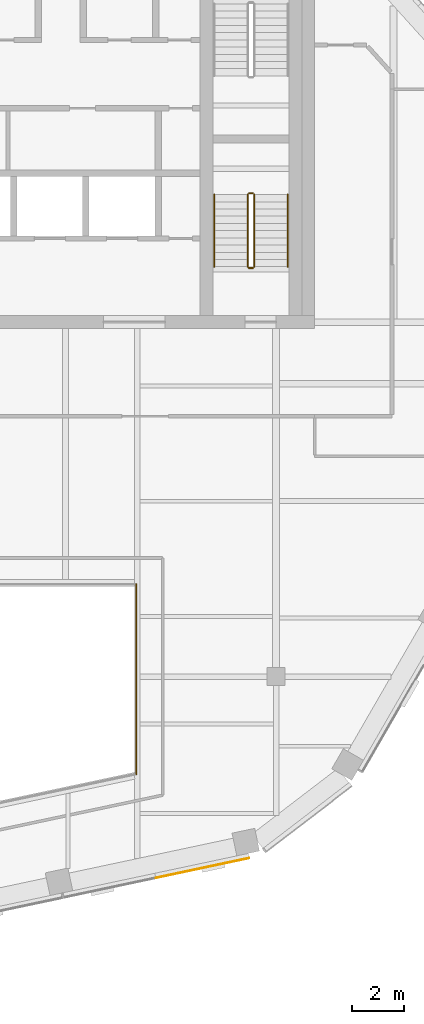
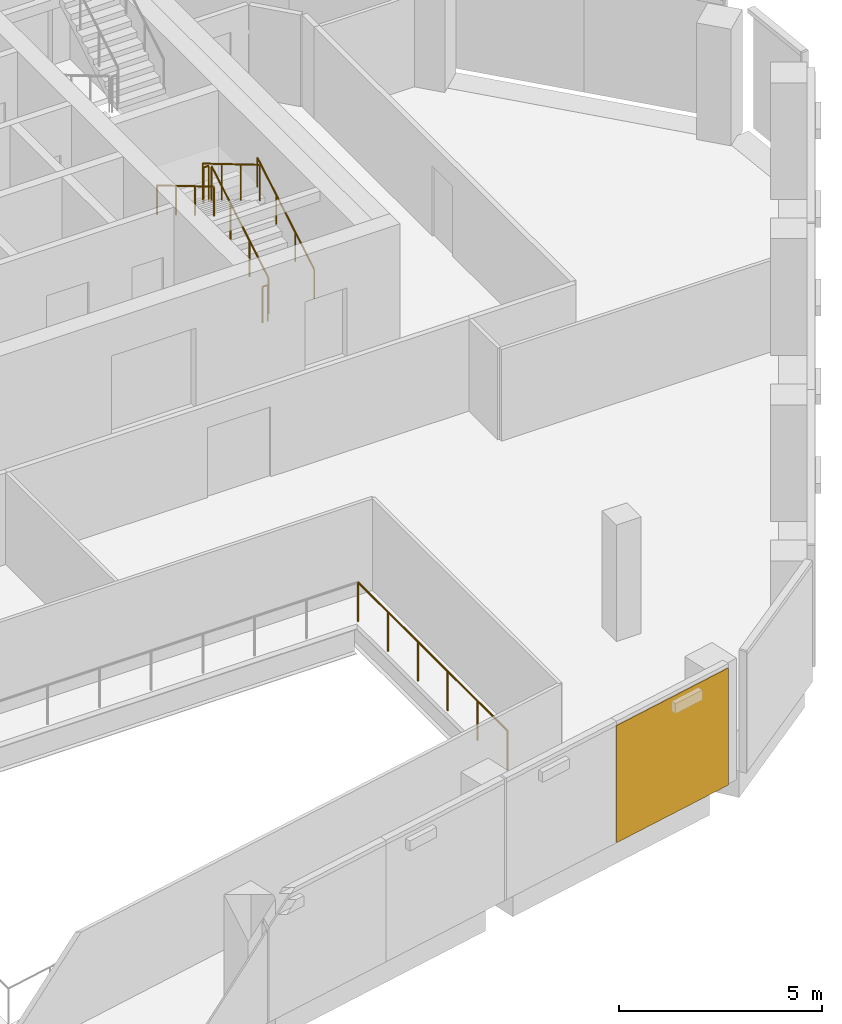
# One storey, part 13 of 15: 7 railings, 1 covering, 1 element without a shape of its own.
"""IFC4 building model written with IfcOpenShell, lengths in metres."""

from ifc_helpers import new_model, si_unit, direction, frame, origin, origin_2d, place, context, subcontext, project, spatial, rectangle, circle, extrude, material, layer, layer_set, type_object, element, aggregate, save


model = new_model("IFC4")

# Units and contexts
model_context = context("Model", 3, precision=1e-05, world=origin(), true_north=direction((0.0, 1.0)))
body_context = subcontext(model_context, "Body", "Model", "MODEL_VIEW")
ifc_project = project(units=[si_unit("LENGTHUNIT", "METRE"), si_unit("AREAUNIT", "SQUARE_METRE"), si_unit("VOLUMEUNIT", "CUBIC_METRE"), si_unit("PLANEANGLEUNIT", "RADIAN"), si_unit("MASSUNIT", "GRAM", prefix="KILO")], contexts=[model_context])

# Site, building, storey
site_placement = place(None, origin())
site = spatial("IfcSite", under=ifc_project, at=site_placement, CompositionType="ELEMENT")
building_placement = place(site_placement, origin())
building = spatial("IfcBuilding", under=site, at=building_placement, Name="Isthmus Gate Tower", CompositionType="ELEMENT")
storey_placement = place(building_placement, frame((0.0, 0.0, 290.14990234375)))
storey = spatial("IfcBuildingStorey", under=building, at=storey_placement, Name="L74", CompositionType="ELEMENT", Elevation=290.14990234375)

# Railing
ifc_material_1 = material(Name="Laminated toughened glass balustrade with steel rail", Category="steel")
railing_type_1 = type_object("IfcRailingType", Name="ATRIUM GUARD GLASS BALUSTRADE 1200", PredefinedType="GUARDRAIL", material=ifc_material_1)
railing_1_placement = place(storey_placement, frame((8.080078125, -9.919921875, 0.0)))
element("IfcRailing", 1, at=railing_1_placement, inside=storey, type_object=railing_type_1, Name="L74 atrium guard", PredefinedType="GUARDRAIL", context=body_context, shape_type="SweptSolid", body=[
    extrude(circle(Radius=0.02490234375, at=origin_2d()), frame((0.0, 0.0, 1.1748046875), z_axis=(0.0, -1.0, 0.0), x_axis=(1.0, 0.0, 0.0)), (0.0, 0.0, 1.0), 7.35498046875),
    extrude(circle(Radius=0.02490234375, at=origin_2d()), origin(), (0.0, 0.0, 1.0), 1.14990234375),
    extrude(circle(Radius=0.02490234375, at=origin_2d()), frame((0.0, -1.470947265625, 0.0)), (0.0, 0.0, 1.0), 1.14990234375),
    extrude(circle(Radius=0.02490234375, at=origin_2d()), frame((0.0, -2.94189453125, 0.0)), (0.0, 0.0, 1.0), 1.14990234375),
    extrude(circle(Radius=0.02490234375, at=origin_2d()), frame((0.0, -4.4130859375, 0.0)), (0.0, 0.0, 1.0), 1.14990234375),
    extrude(circle(Radius=0.02490234375, at=origin_2d()), frame((0.0, -5.884033203125, 0.0)), (0.0, 0.0, 1.0), 1.14990234375),
    extrude(circle(Radius=0.02490234375, at=origin_2d()), frame((0.0, -7.35498046875, 0.0)), (0.0, 0.0, 1.0), 1.14990234375),
])

# Curtain wall, covering
ifc_material_2 = material(Name="Aluminium, pale champagne anodised", Category="aluminium")
ifc_layer_1 = layer(ifc_material_2, 0.199951171875)
ifc_layer_set_1 = layer_set([ifc_layer_1], Name="CW-1 UNITISED CURTAIN WALL 200 DEEP")
curtain_wall_type = type_object("IfcCurtainWallType", Name="CW-1 UNITISED CURTAIN WALL 200 DEEP", PredefinedType="NOTDEFINED", material=ifc_layer_set_1)
curtain_wall_placement = place(storey_placement, origin())
curtain_wall = element("IfcCurtainWall", 2, at=curtain_wall_placement, inside=storey, type_object=curtain_wall_type, Name="CW-1 S L74", PredefinedType="NOTDEFINED")
ifc_material_3 = material(Name="Aluminium composite panel, pale champagne anodised", Category="aluminium")
ifc_layer_2 = layer(ifc_material_3, 0.031982421875)
ifc_layer_set_2 = layer_set([ifc_layer_2], Name="CW-1 PALE METAL PANEL 32")
covering_type = type_object("IfcCoveringType", Name="CW-1 PALE METAL PANEL 32", PredefinedType="CLADDING", material=ifc_layer_set_2)
covering_placement = place(storey_placement, frame((10.644775390625, -20.925537109375, 0.0), z_axis=(0.0, 0.0, 1.0), x_axis=(0.978147600734, 0.207911690818, 0.0)))
covering = element("IfcCovering", 3, at=covering_placement, type_object=covering_type, Name="CW-1 pale metal panel", PredefinedType="CLADDING", context=body_context, shape_type="SweptSolid", body=[
    extrude(rectangle(XDim=3.703369140625, YDim=0.031982421875, at=origin_2d()), origin(), (0.0, 0.0, 1.0), 3.52001953125),
])
aggregate(curtain_wall, [covering])

# Railings
ifc_material_4 = material(Name="Stainless steel balustrade", Category="steel")
railing_type_2 = type_object("IfcRailingType", Name="STAIR GUARD 1100", PredefinedType="GUARDRAIL", material=ifc_material_4)
railing_2_placement = place(storey_placement, frame((12.64990234375, 2.39990234375, 0.166015625)))
element("IfcRailing", 4, at=railing_2_placement, inside=storey, type_object=railing_type_2, Name="L74 ST8 stair guard 1", PredefinedType="GUARDRAIL", context=body_context, shape_type="SweptSolid", body=[
    extrude(circle(Radius=0.02392578125, at=origin_2d()), frame((0.0, 0.0, 1.076171875), z_axis=(0.0, 0.860306154799, 0.50977771628), x_axis=(-1.0, 0.0, 0.0)), (0.0, 0.0, 1.0), 3.254638671875),
    extrude(circle(Radius=0.02099609375, at=origin_2d()), origin(), (0.0, 0.0, 1.0), 1.052001953125),
    extrude(circle(Radius=0.02099609375, at=origin_2d()), frame((0.0, 0.933349609375, 0.552978515625)), (0.0, 0.0, 1.0), 1.052001953125),
    extrude(circle(Radius=0.02099609375, at=origin_2d()), frame((0.0, 1.86669921875, 1.106201171875)), (0.0, 0.0, 1.0), 1.052001953125),
    extrude(circle(Radius=0.02099609375, at=origin_2d()), frame((0.0, 2.800048828125, 1.6591796875)), (0.0, 0.0, 1.0), 1.052001953125),
])
railing_3_placement = place(storey_placement, frame((12.60009765625, 5.25, 1.8251953125)))
element("IfcRailing", 5, at=railing_3_placement, inside=storey, type_object=railing_type_2, Name="L74 ST8 stair guard 2", PredefinedType="GUARDRAIL", context=body_context, shape_type="SweptSolid", body=[
    extrude(circle(Radius=0.02392578125, at=origin_2d()), frame((0.0, 0.0, 1.076171875), z_axis=(-1.0, 0.0, 0.0), x_axis=(0.0, -1.0, 0.0)), (0.0, 0.0, 1.0), 0.150146484375),
    extrude(circle(Radius=0.02099609375, at=origin_2d()), origin(), (0.0, 0.0, 1.0), 1.052001953125),
    extrude(circle(Radius=0.02099609375, at=origin_2d()), frame((-0.150146484375, 0.0, 0.0)), (0.0, 0.0, 1.0), 1.052001953125),
])
railing_4_placement = place(storey_placement, frame((12.39990234375, 5.199951171875, 1.990966796875)))
element("IfcRailing", 6, at=railing_4_placement, inside=storey, type_object=railing_type_2, Name="L74 ST8 stair guard 3", PredefinedType="GUARDRAIL", context=body_context, shape_type="SweptSolid", body=[
    extrude(circle(Radius=0.02392578125, at=origin_2d()), frame((0.0, 0.0, 1.076171875), z_axis=(0.0, -0.860306154799, 0.50977771628), x_axis=(1.0, 0.0, 0.0)), (0.0, 0.0, 1.0), 3.254638671875),
    extrude(circle(Radius=0.02099609375, at=origin_2d()), origin(), (0.0, 0.0, 1.0), 1.052001953125),
    extrude(circle(Radius=0.02099609375, at=origin_2d()), frame((0.0, -0.933349609375, 0.552978515625)), (0.0, 0.0, 1.0), 1.052001953125),
    extrude(circle(Radius=0.02099609375, at=origin_2d()), frame((0.0, -1.86669921875, 1.106201171875)), (0.0, 0.0, 1.0), 1.052001953125),
    extrude(circle(Radius=0.02099609375, at=origin_2d()), frame((0.0, -2.800048828125, 1.6591796875)), (0.0, 0.0, 1.0), 1.052001953125),
])
railing_5_placement = place(storey_placement, frame((12.60009765625, 2.35009765625, 0.0)))
element("IfcRailing", 7, at=railing_5_placement, inside=storey, type_object=railing_type_2, Name="L74 ST8 stair guard 4", PredefinedType="GUARDRAIL", context=body_context, shape_type="SweptSolid", body=[
    extrude(circle(Radius=0.02392578125, at=origin_2d()), frame((0.0, 0.0, 1.076171875), z_axis=(-1.0, 0.0, 0.0), x_axis=(0.0, -1.0, 0.0)), (0.0, 0.0, 1.0), 0.150146484375),
    extrude(circle(Radius=0.02099609375, at=origin_2d()), origin(), (0.0, 0.0, 1.0), 1.052001953125),
    extrude(circle(Radius=0.02099609375, at=origin_2d()), frame((-0.150146484375, 0.0, 0.0)), (0.0, 0.0, 1.0), 1.052001953125),
])
ifc_material_5 = material(Name="Stainless steel handrail", Category="steel")
railing_type_3 = type_object("IfcRailingType", Name="STAIR HANDRAIL 900", PredefinedType="HANDRAIL", material=ifc_material_5)
railing_6_placement = place(storey_placement, frame((13.949951171875, 2.39990234375, 0.166015625)))
element("IfcRailing", 8, at=railing_6_placement, inside=storey, type_object=railing_type_3, Name="L74 ST8 stair handrail 1", PredefinedType="HANDRAIL", context=body_context, shape_type="SweptSolid", body=[
    extrude(circle(Radius=0.02392578125, at=origin_2d()), frame((0.0, 0.0, 0.8759765625), z_axis=(0.0, 0.860306154799, 0.50977771628), x_axis=(-1.0, 0.0, 0.0)), (0.0, 0.0, 1.0), 3.254638671875),
    extrude(circle(Radius=0.02099609375, at=origin_2d()), origin(), (0.0, 0.0, 1.0), 0.851806640625),
    extrude(circle(Radius=0.02099609375, at=origin_2d()), frame((0.0, 0.933349609375, 0.552978515625)), (0.0, 0.0, 1.0), 0.851806640625),
    extrude(circle(Radius=0.02099609375, at=origin_2d()), frame((0.0, 1.86669921875, 1.106201171875)), (0.0, 0.0, 1.0), 0.851806640625),
    extrude(circle(Radius=0.02099609375, at=origin_2d()), frame((0.0, 2.800048828125, 1.6591796875)), (0.0, 0.0, 1.0), 0.851806640625),
])
railing_7_placement = place(storey_placement, frame((11.10009765625, 5.199951171875, 1.990966796875)))
element("IfcRailing", 9, at=railing_7_placement, inside=storey, type_object=railing_type_3, Name="L74 ST8 stair handrail 2", PredefinedType="HANDRAIL", context=body_context, shape_type="SweptSolid", body=[
    extrude(circle(Radius=0.02392578125, at=origin_2d()), frame((0.0, 0.0, 0.8759765625), z_axis=(0.0, -0.860306154799, 0.50977771628), x_axis=(1.0, 0.0, 0.0)), (0.0, 0.0, 1.0), 3.254638671875),
    extrude(circle(Radius=0.02099609375, at=origin_2d()), origin(), (0.0, 0.0, 1.0), 0.851806640625),
    extrude(circle(Radius=0.02099609375, at=origin_2d()), frame((0.0, -0.933349609375, 0.552978515625)), (0.0, 0.0, 1.0), 0.851806640625),
    extrude(circle(Radius=0.02099609375, at=origin_2d()), frame((0.0, -1.86669921875, 1.106201171875)), (0.0, 0.0, 1.0), 0.851806640625),
    extrude(circle(Radius=0.02099609375, at=origin_2d()), frame((0.0, -2.800048828125, 1.6591796875)), (0.0, 0.0, 1.0), 0.851806640625),
])

save(model, "model.ifc")
